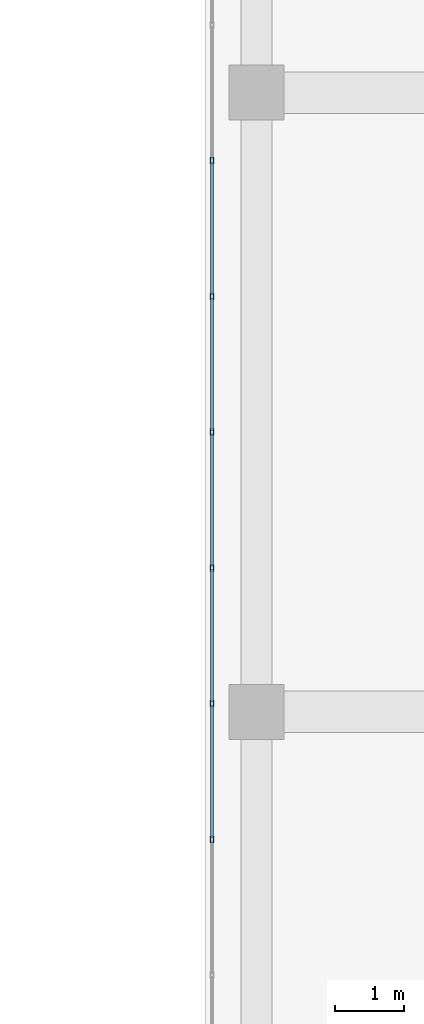
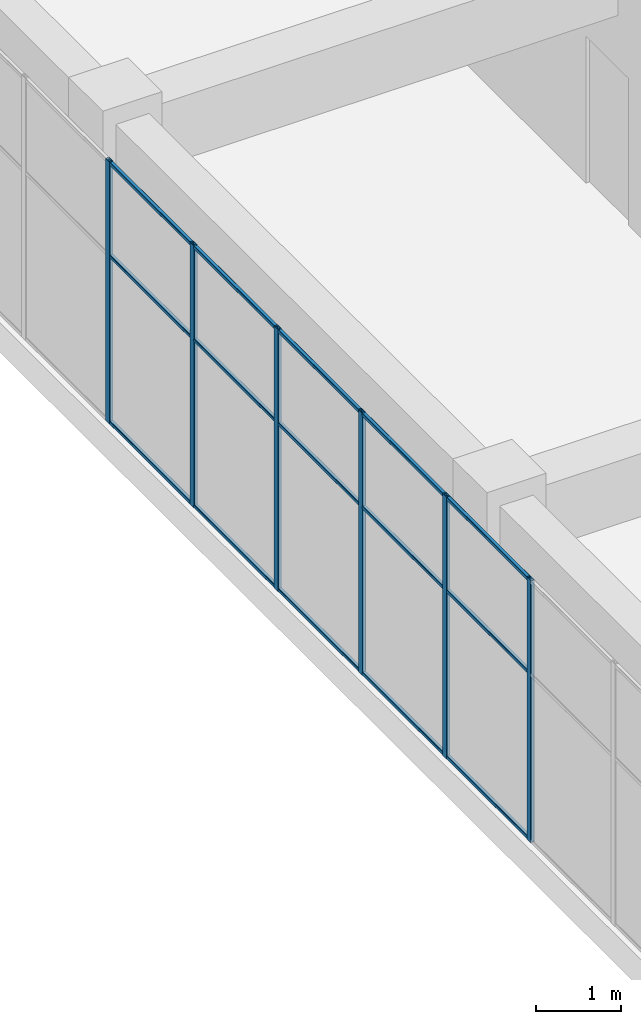
# One storey, part 41 of 81: 21 members, 1 element without a shape of its own.
"""IFC4 building model written with IfcOpenShell, lengths in metres."""

from ifc_helpers import new_model, si_unit, direction, frame, origin, origin_2d, place, context, subcontext, project, spatial, hollow_rectangle, extrude, material, layer, layer_set, material_profile, profile_set, type_object, element, aggregate, save


model = new_model("IFC4")

# Units and contexts
model_context = context("Model", 3, precision=1e-05, world=origin(), true_north=direction((0.0, 1.0)))
body_context = subcontext(model_context, "Body", "Model", "MODEL_VIEW")
ifc_project = project(units=[si_unit("LENGTHUNIT", "METRE"), si_unit("AREAUNIT", "SQUARE_METRE"), si_unit("VOLUMEUNIT", "CUBIC_METRE"), si_unit("PLANEANGLEUNIT", "RADIAN"), si_unit("MASSUNIT", "GRAM", prefix="KILO")], contexts=[model_context])

# Site, building, storey
site_placement = place(None, origin())
site = spatial("IfcSite", under=ifc_project, at=site_placement, CompositionType="ELEMENT")
building_placement = place(site_placement, origin())
building = spatial("IfcBuilding", under=site, at=building_placement, Name="Tuart Plaza Theatre", CompositionType="ELEMENT")
storey_placement = place(building_placement, frame((0.0, 0.0, 17.5)))
storey = spatial("IfcBuildingStorey", under=building, at=storey_placement, Name="L04", CompositionType="ELEMENT", Elevation=17.5)

# Curtain wall, members
ifc_material_1 = material(Name="Aluminium and glass", Category="aluminium")
ifc_layer = layer(ifc_material_1, 0.10009765625)
ifc_layer_set = layer_set([ifc_layer], Name="CURTAIN WALL 2000 module")
curtain_wall_type = type_object("IfcCurtainWallType", Name="CURTAIN WALL 2000 module", PredefinedType="NOTDEFINED", material=ifc_layer_set)
curtain_wall_placement = place(storey_placement, origin())
curtain_wall = element("IfcCurtainWall", 1, at=curtain_wall_placement, inside=storey, type_object=curtain_wall_type, Name="CW86", PredefinedType="NOTDEFINED")
ifc_material_2 = material(Name="Aluminium 6063-T5", Category="aluminium")
ifc_material_profile_1 = material_profile(ifc_material_2, hollow_rectangle(XDim=0.050048828125, YDim=0.10009765625, WallThickness=0.00390625, InnerFilletRadius=0.00390625, OuterFilletRadius=0.008056640625, at=origin_2d()), Name="RHS 100x50x4")
ifc_profile_set_1 = profile_set([ifc_material_profile_1], Name="Aluminium 6063-T5")
member_type_1 = type_object("IfcMemberType", Name="MULLION RHS 100x50x4", PredefinedType="MULLION", material=ifc_profile_set_1)
member_1_placement = place(storey_placement, frame((113.35009765625, 73.01318359375, 0.0), z_axis=(0.0, 0.0, 1.0), x_axis=(1.0, 0.0, 0.0)))
member_1 = element("IfcMember", 2, at=member_1_placement, type_object=member_type_1, Name="CW86 mullion 11", PredefinedType="MULLION", context=body_context, shape_type="SweptSolid", body=[
    extrude(hollow_rectangle(XDim=0.050048828125, YDim=0.10009765625, WallThickness=0.00390625, InnerFilletRadius=0.00390625, OuterFilletRadius=0.008056640625, at=origin_2d()), origin(), (0.0, 0.0, 1.0), 3.75),
])
member_2_placement = place(storey_placement, frame((113.35009765625, 71.03955078125, 0.0), z_axis=(0.0, 0.0, 1.0), x_axis=(1.0, 0.0, 0.0)))
member_2 = element("IfcMember", 3, at=member_2_placement, type_object=member_type_1, Name="CW86 mullion 12", PredefinedType="MULLION", context=body_context, shape_type="SweptSolid", body=[
    extrude(hollow_rectangle(XDim=0.050048828125, YDim=0.10009765625, WallThickness=0.00390625, InnerFilletRadius=0.00390625, OuterFilletRadius=0.008056640625, at=origin_2d()), origin(), (0.0, 0.0, 1.0), 3.75),
])
member_3_placement = place(storey_placement, frame((113.35009765625, 69.065673828125, 0.0), z_axis=(0.0, 0.0, 1.0), x_axis=(1.0, 0.0, 0.0)))
member_3 = element("IfcMember", 4, at=member_3_placement, type_object=member_type_1, Name="CW86 mullion 13", PredefinedType="MULLION", context=body_context, shape_type="SweptSolid", body=[
    extrude(hollow_rectangle(XDim=0.050048828125, YDim=0.10009765625, WallThickness=0.00390625, InnerFilletRadius=0.00390625, OuterFilletRadius=0.008056640625, at=origin_2d()), origin(), (0.0, 0.0, 1.0), 3.75),
])
member_4_placement = place(storey_placement, frame((113.35009765625, 67.092041015625, 0.0), z_axis=(0.0, 0.0, 1.0), x_axis=(1.0, 0.0, 0.0)))
member_4 = element("IfcMember", 5, at=member_4_placement, type_object=member_type_1, Name="CW86 mullion 14", PredefinedType="MULLION", context=body_context, shape_type="SweptSolid", body=[
    extrude(hollow_rectangle(XDim=0.050048828125, YDim=0.10009765625, WallThickness=0.00390625, InnerFilletRadius=0.00390625, OuterFilletRadius=0.008056640625, at=origin_2d()), origin(), (0.0, 0.0, 1.0), 3.75),
])
member_5_placement = place(storey_placement, frame((113.35009765625, 65.118408203125, 0.0), z_axis=(0.0, 0.0, 1.0), x_axis=(1.0, 0.0, 0.0)))
member_5 = element("IfcMember", 6, at=member_5_placement, type_object=member_type_1, Name="CW86 mullion 15", PredefinedType="MULLION", context=body_context, shape_type="SweptSolid", body=[
    extrude(hollow_rectangle(XDim=0.050048828125, YDim=0.10009765625, WallThickness=0.00390625, InnerFilletRadius=0.00390625, OuterFilletRadius=0.008056640625, at=origin_2d()), origin(), (0.0, 0.0, 1.0), 3.75),
])
member_6_placement = place(storey_placement, frame((113.35009765625, 63.144775390625, 0.0), z_axis=(0.0, 0.0, 1.0), x_axis=(1.0, 0.0, 0.0)))
member_6 = element("IfcMember", 7, at=member_6_placement, type_object=member_type_1, Name="CW86 mullion 16", PredefinedType="MULLION", context=body_context, shape_type="SweptSolid", body=[
    extrude(hollow_rectangle(XDim=0.050048828125, YDim=0.10009765625, WallThickness=0.00390625, InnerFilletRadius=0.00390625, OuterFilletRadius=0.008056640625, at=origin_2d()), origin(), (0.0, 0.0, 1.0), 3.75),
])
ifc_material_3 = material(Name="Aluminium 6063-T5", Category="aluminium")
ifc_material_profile_2 = material_profile(ifc_material_3, hollow_rectangle(XDim=0.050048828125, YDim=0.050048828125, WallThickness=0.00390625, InnerFilletRadius=0.00390625, OuterFilletRadius=0.008056640625, at=origin_2d()), Name="RHS 50x50x4")
ifc_profile_set_2 = profile_set([ifc_material_profile_2], Name="Aluminium 6063-T5")
member_type_2 = type_object("IfcMemberType", Name="TRANSOM RHS 50x50x4", PredefinedType="USERDEFINED", material=ifc_profile_set_2)
member_7_placement = place(storey_placement, frame((113.35009765625, 72.988037109375, 0.02490234375), z_axis=(0.0, -1.0, 0.0), x_axis=(1.0, 0.0, 0.0)))
member_7 = element("IfcMember", 8, at=member_7_placement, type_object=member_type_2, Name="CW86 transom 11.1", ObjectType="TRANSOM", PredefinedType="USERDEFINED", context=body_context, shape_type="SweptSolid", body=[
    extrude(hollow_rectangle(XDim=0.050048828125, YDim=0.050048828125, WallThickness=0.00390625, InnerFilletRadius=0.00390625, OuterFilletRadius=0.008056640625, at=origin_2d()), origin(), (0.0, 0.0, 1.0), 1.923583984375),
])
member_8_placement = place(storey_placement, frame((113.35009765625, 72.988037109375, 2.39990234375), z_axis=(0.0, -1.0, 0.0), x_axis=(1.0, 0.0, 0.0)))
member_8 = element("IfcMember", 9, at=member_8_placement, type_object=member_type_2, Name="CW86 transom 11.2", ObjectType="TRANSOM", PredefinedType="USERDEFINED", context=body_context, shape_type="SweptSolid", body=[
    extrude(hollow_rectangle(XDim=0.050048828125, YDim=0.050048828125, WallThickness=0.00390625, InnerFilletRadius=0.00390625, OuterFilletRadius=0.008056640625, at=origin_2d()), origin(), (0.0, 0.0, 1.0), 1.923583984375),
])
member_9_placement = place(storey_placement, frame((113.35009765625, 72.988037109375, 3.72509765625), z_axis=(0.0, -1.0, 0.0), x_axis=(1.0, 0.0, 0.0)))
member_9 = element("IfcMember", 10, at=member_9_placement, type_object=member_type_2, Name="CW86 transom 11.3", ObjectType="TRANSOM", PredefinedType="USERDEFINED", context=body_context, shape_type="SweptSolid", body=[
    extrude(hollow_rectangle(XDim=0.050048828125, YDim=0.050048828125, WallThickness=0.00390625, InnerFilletRadius=0.00390625, OuterFilletRadius=0.008056640625, at=origin_2d()), origin(), (0.0, 0.0, 1.0), 1.923583984375),
])
member_10_placement = place(storey_placement, frame((113.35009765625, 71.014404296875, 0.02490234375), z_axis=(0.0, -1.0, 0.0), x_axis=(1.0, 0.0, 0.0)))
member_10 = element("IfcMember", 11, at=member_10_placement, type_object=member_type_2, Name="CW86 transom 12.1", ObjectType="TRANSOM", PredefinedType="USERDEFINED", context=body_context, shape_type="SweptSolid", body=[
    extrude(hollow_rectangle(XDim=0.050048828125, YDim=0.050048828125, WallThickness=0.00390625, InnerFilletRadius=0.00390625, OuterFilletRadius=0.008056640625, at=origin_2d()), origin(), (0.0, 0.0, 1.0), 1.923583984375),
])
member_11_placement = place(storey_placement, frame((113.35009765625, 71.014404296875, 2.39990234375), z_axis=(0.0, -1.0, 0.0), x_axis=(1.0, 0.0, 0.0)))
member_11 = element("IfcMember", 12, at=member_11_placement, type_object=member_type_2, Name="CW86 transom 12.2", ObjectType="TRANSOM", PredefinedType="USERDEFINED", context=body_context, shape_type="SweptSolid", body=[
    extrude(hollow_rectangle(XDim=0.050048828125, YDim=0.050048828125, WallThickness=0.00390625, InnerFilletRadius=0.00390625, OuterFilletRadius=0.008056640625, at=origin_2d()), origin(), (0.0, 0.0, 1.0), 1.923583984375),
])
member_12_placement = place(storey_placement, frame((113.35009765625, 71.014404296875, 3.72509765625), z_axis=(0.0, -1.0, 0.0), x_axis=(1.0, 0.0, 0.0)))
member_12 = element("IfcMember", 13, at=member_12_placement, type_object=member_type_2, Name="CW86 transom 12.3", ObjectType="TRANSOM", PredefinedType="USERDEFINED", context=body_context, shape_type="SweptSolid", body=[
    extrude(hollow_rectangle(XDim=0.050048828125, YDim=0.050048828125, WallThickness=0.00390625, InnerFilletRadius=0.00390625, OuterFilletRadius=0.008056640625, at=origin_2d()), origin(), (0.0, 0.0, 1.0), 1.923583984375),
])
member_13_placement = place(storey_placement, frame((113.35009765625, 69.040771484375, 0.02490234375), z_axis=(0.0, -1.0, 0.0), x_axis=(1.0, 0.0, 0.0)))
member_13 = element("IfcMember", 14, at=member_13_placement, type_object=member_type_2, Name="CW86 transom 13.1", ObjectType="TRANSOM", PredefinedType="USERDEFINED", context=body_context, shape_type="SweptSolid", body=[
    extrude(hollow_rectangle(XDim=0.050048828125, YDim=0.050048828125, WallThickness=0.00390625, InnerFilletRadius=0.00390625, OuterFilletRadius=0.008056640625, at=origin_2d()), origin(), (0.0, 0.0, 1.0), 1.923583984375),
])
member_14_placement = place(storey_placement, frame((113.35009765625, 69.040771484375, 2.39990234375), z_axis=(0.0, -1.0, 0.0), x_axis=(1.0, 0.0, 0.0)))
member_14 = element("IfcMember", 15, at=member_14_placement, type_object=member_type_2, Name="CW86 transom 13.2", ObjectType="TRANSOM", PredefinedType="USERDEFINED", context=body_context, shape_type="SweptSolid", body=[
    extrude(hollow_rectangle(XDim=0.050048828125, YDim=0.050048828125, WallThickness=0.00390625, InnerFilletRadius=0.00390625, OuterFilletRadius=0.008056640625, at=origin_2d()), origin(), (0.0, 0.0, 1.0), 1.923583984375),
])
member_15_placement = place(storey_placement, frame((113.35009765625, 69.040771484375, 3.72509765625), z_axis=(0.0, -1.0, 0.0), x_axis=(1.0, 0.0, 0.0)))
member_15 = element("IfcMember", 16, at=member_15_placement, type_object=member_type_2, Name="CW86 transom 13.3", ObjectType="TRANSOM", PredefinedType="USERDEFINED", context=body_context, shape_type="SweptSolid", body=[
    extrude(hollow_rectangle(XDim=0.050048828125, YDim=0.050048828125, WallThickness=0.00390625, InnerFilletRadius=0.00390625, OuterFilletRadius=0.008056640625, at=origin_2d()), origin(), (0.0, 0.0, 1.0), 1.923583984375),
])
member_16_placement = place(storey_placement, frame((113.35009765625, 67.067138671875, 0.02490234375), z_axis=(0.0, -1.0, 0.0), x_axis=(1.0, 0.0, 0.0)))
member_16 = element("IfcMember", 17, at=member_16_placement, type_object=member_type_2, Name="CW86 transom 14.1", ObjectType="TRANSOM", PredefinedType="USERDEFINED", context=body_context, shape_type="SweptSolid", body=[
    extrude(hollow_rectangle(XDim=0.050048828125, YDim=0.050048828125, WallThickness=0.00390625, InnerFilletRadius=0.00390625, OuterFilletRadius=0.008056640625, at=origin_2d()), origin(), (0.0, 0.0, 1.0), 1.923828125),
])
member_17_placement = place(storey_placement, frame((113.35009765625, 67.067138671875, 2.39990234375), z_axis=(0.0, -1.0, 0.0), x_axis=(1.0, 0.0, 0.0)))
member_17 = element("IfcMember", 18, at=member_17_placement, type_object=member_type_2, Name="CW86 transom 14.2", ObjectType="TRANSOM", PredefinedType="USERDEFINED", context=body_context, shape_type="SweptSolid", body=[
    extrude(hollow_rectangle(XDim=0.050048828125, YDim=0.050048828125, WallThickness=0.00390625, InnerFilletRadius=0.00390625, OuterFilletRadius=0.008056640625, at=origin_2d()), origin(), (0.0, 0.0, 1.0), 1.923828125),
])
member_18_placement = place(storey_placement, frame((113.35009765625, 67.067138671875, 3.72509765625), z_axis=(0.0, -1.0, 0.0), x_axis=(1.0, 0.0, 0.0)))
member_18 = element("IfcMember", 19, at=member_18_placement, type_object=member_type_2, Name="CW86 transom 14.3", ObjectType="TRANSOM", PredefinedType="USERDEFINED", context=body_context, shape_type="SweptSolid", body=[
    extrude(hollow_rectangle(XDim=0.050048828125, YDim=0.050048828125, WallThickness=0.00390625, InnerFilletRadius=0.00390625, OuterFilletRadius=0.008056640625, at=origin_2d()), origin(), (0.0, 0.0, 1.0), 1.923828125),
])
member_19_placement = place(storey_placement, frame((113.35009765625, 65.093505859375, 0.02490234375), z_axis=(0.0, -1.0, 0.0), x_axis=(1.0, 0.0, 0.0)))
member_19 = element("IfcMember", 20, at=member_19_placement, type_object=member_type_2, Name="CW86 transom 15.1", ObjectType="TRANSOM", PredefinedType="USERDEFINED", context=body_context, shape_type="SweptSolid", body=[
    extrude(hollow_rectangle(XDim=0.050048828125, YDim=0.050048828125, WallThickness=0.00390625, InnerFilletRadius=0.00390625, OuterFilletRadius=0.008056640625, at=origin_2d()), origin(), (0.0, 0.0, 1.0), 1.923828125),
])
member_20_placement = place(storey_placement, frame((113.35009765625, 65.093505859375, 2.39990234375), z_axis=(0.0, -1.0, 0.0), x_axis=(1.0, 0.0, 0.0)))
member_20 = element("IfcMember", 21, at=member_20_placement, type_object=member_type_2, Name="CW86 transom 15.2", ObjectType="TRANSOM", PredefinedType="USERDEFINED", context=body_context, shape_type="SweptSolid", body=[
    extrude(hollow_rectangle(XDim=0.050048828125, YDim=0.050048828125, WallThickness=0.00390625, InnerFilletRadius=0.00390625, OuterFilletRadius=0.008056640625, at=origin_2d()), origin(), (0.0, 0.0, 1.0), 1.923828125),
])
member_21_placement = place(storey_placement, frame((113.35009765625, 65.093505859375, 3.72509765625), z_axis=(0.0, -1.0, 0.0), x_axis=(1.0, 0.0, 0.0)))
member_21 = element("IfcMember", 22, at=member_21_placement, type_object=member_type_2, Name="CW86 transom 15.3", ObjectType="TRANSOM", PredefinedType="USERDEFINED", context=body_context, shape_type="SweptSolid", body=[
    extrude(hollow_rectangle(XDim=0.050048828125, YDim=0.050048828125, WallThickness=0.00390625, InnerFilletRadius=0.00390625, OuterFilletRadius=0.008056640625, at=origin_2d()), origin(), (0.0, 0.0, 1.0), 1.923828125),
])
aggregate(curtain_wall, [member_1, member_2, member_3, member_4, member_5, member_6, member_7, member_8, member_9, member_10, member_11, member_12, member_13, member_14, member_15, member_16, member_17, member_18, member_19, member_20, member_21])

save(model, "model.ifc")
